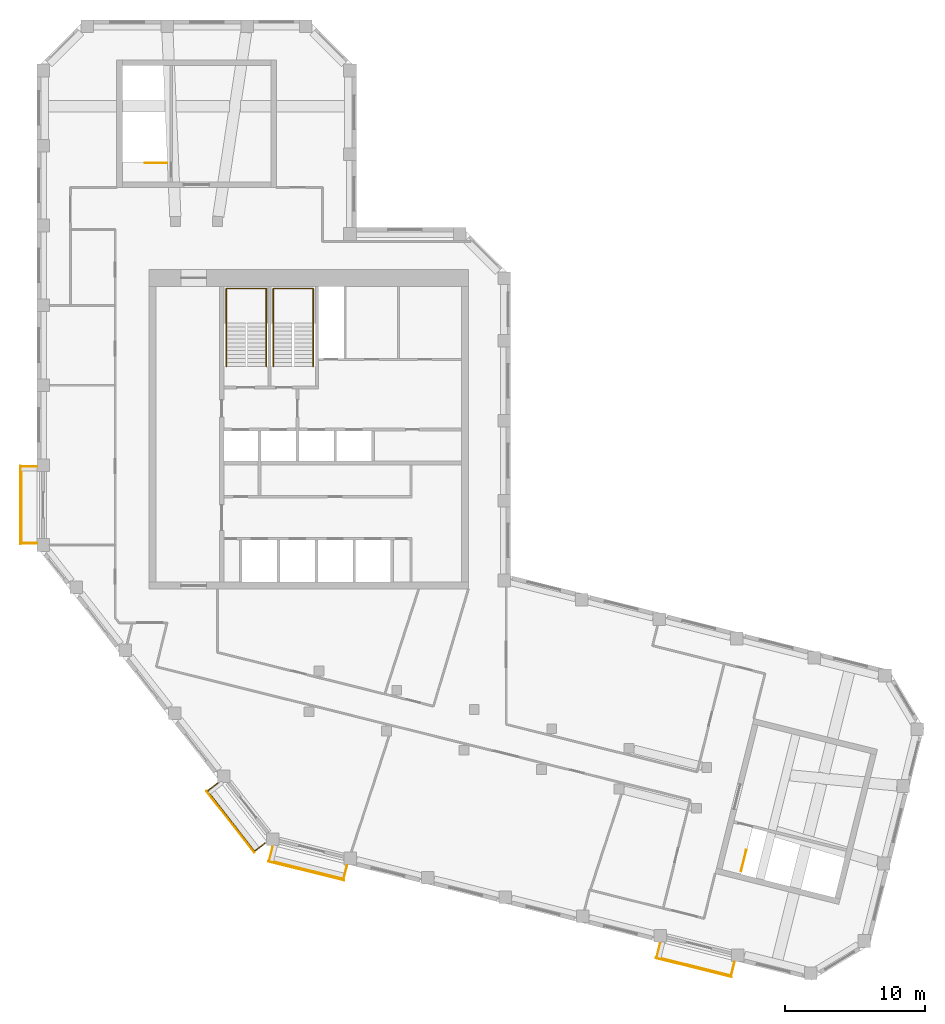
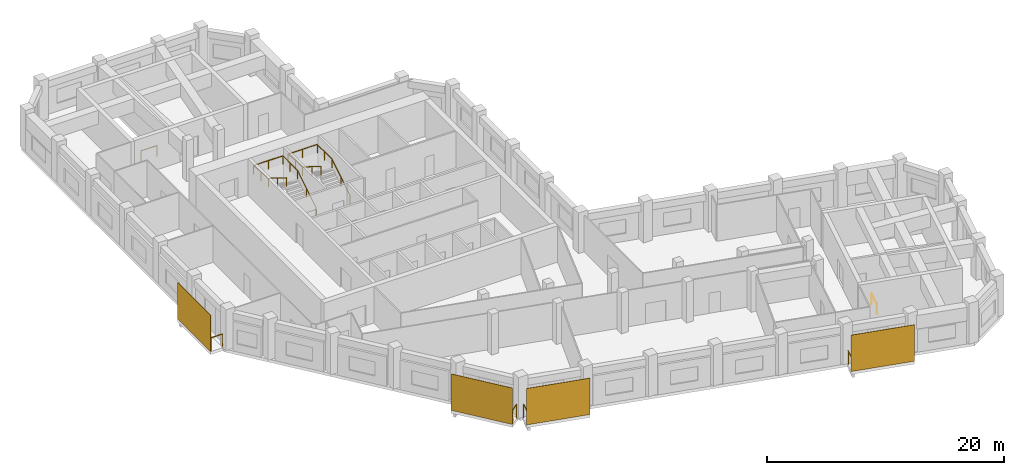
# One storey, part 8 of 8: 8 railings, 4 shading devices.
"""IFC4 building model written with IfcOpenShell, lengths in metres."""

from ifc_helpers import new_model, si_unit, direction, frame, origin, origin_2d, place, context, subcontext, project, spatial, rectangle, circle, extrude, material, layer, layer_set, type_object, element, save


model = new_model("IFC4")

# Units and contexts
model_context = context("Model", 3, precision=1e-05, world=origin(), true_north=direction((0.0, 1.0)))
body_context = subcontext(model_context, "Body", "Model", "MODEL_VIEW")
ifc_project = project(units=[si_unit("LENGTHUNIT", "METRE"), si_unit("AREAUNIT", "SQUARE_METRE"), si_unit("VOLUMEUNIT", "CUBIC_METRE"), si_unit("PLANEANGLEUNIT", "RADIAN"), si_unit("MASSUNIT", "GRAM", prefix="KILO")], contexts=[model_context])

# Site, building, storey
site_placement = place(None, origin())
site = spatial("IfcSite", under=ifc_project, at=site_placement, CompositionType="ELEMENT")
building_placement = place(site_placement, origin())
building = spatial("IfcBuilding", under=site, at=building_placement, Name="Meshkara Civic Tower", CompositionType="ELEMENT")
storey_placement = place(building_placement, frame((0.0, 0.0, 396.0)))
storey = spatial("IfcBuildingStorey", under=building, at=storey_placement, Name="L91", CompositionType="ELEMENT", Elevation=396.0)

# Railings
ifc_material_1 = material(Name="Steel S355", Category="steel")
railing_type_1 = type_object("IfcRailingType", Name="BALUSTRADE GUARD 1400", PredefinedType="BALUSTRADE", material=ifc_material_1)
railing_1_placement = place(storey_placement, frame((0.0, 22.8349609375, 0.0)))
element("IfcRailing", 1, at=railing_1_placement, inside=storey, type_object=railing_type_1, Name="Balcony guard", PredefinedType="BALUSTRADE", context=body_context, shape_type="SweptSolid", body=[
    extrude(circle(Radius=0.02392578125, at=origin_2d()), frame((0.0, 0.0, 1.3759765625), z_axis=(-1.0, 0.0, 0.0), x_axis=(0.0, -1.0, 0.0)), (0.0, 0.0, 1.0), 1.110107421875),
    extrude(circle(Radius=0.02392578125, at=origin_2d()), frame((-1.110107421875, 0.0, 1.3759765625), z_axis=(0.0, -1.0, 0.0), x_axis=(1.0, 0.0, 0.0)), (0.0, 0.0, 1.0), 5.4599609375),
    extrude(circle(Radius=0.02392578125, at=origin_2d()), frame((-1.110107421875, -5.4599609375, 1.3759765625), z_axis=(1.0, 0.0, 0.0), x_axis=(0.0, 1.0, 0.0)), (0.0, 0.0, 1.0), 1.110107421875),
    extrude(circle(Radius=0.02099609375, at=origin_2d()), origin(), (0.0, 0.0, 1.0), 1.351806640625),
    extrude(circle(Radius=0.02099609375, at=origin_2d()), frame((-1.110107421875, 0.0, 0.0)), (0.0, 0.0, 1.0), 1.351806640625),
    extrude(circle(Radius=0.02099609375, at=origin_2d()), frame((-1.110107421875, -1.092041015625, 0.0)), (0.0, 0.0, 1.0), 1.351806640625),
    extrude(circle(Radius=0.02099609375, at=origin_2d()), frame((-1.110107421875, -2.18408203125, 0.0)), (0.0, 0.0, 1.0), 1.351806640625),
    extrude(circle(Radius=0.02099609375, at=origin_2d()), frame((-1.110107421875, -3.27587890625, 0.0)), (0.0, 0.0, 1.0), 1.351806640625),
    extrude(circle(Radius=0.02099609375, at=origin_2d()), frame((-1.110107421875, -4.367919921875, 0.0)), (0.0, 0.0, 1.0), 1.351806640625),
    extrude(circle(Radius=0.02099609375, at=origin_2d()), frame((-1.110107421875, -5.4599609375, 0.0)), (0.0, 0.0, 1.0), 1.351806640625),
    extrude(circle(Radius=0.02099609375, at=origin_2d()), frame((0.0, -5.4599609375, 0.0)), (0.0, 0.0, 1.0), 1.351806640625),
])
railing_2_placement = place(storey_placement, frame((12.91796875, 0.27001953125, 0.0)))
element("IfcRailing", 2, at=railing_2_placement, inside=storey, type_object=railing_type_1, Name="Balcony guard", PredefinedType="BALUSTRADE", context=body_context, shape_type="SweptSolid", body=[
    extrude(circle(Radius=0.02392578125, at=origin_2d()), frame((0.0, 0.0, 1.3759765625), z_axis=(-0.788430880583, -0.615123358801, 0.0), x_axis=(0.615123358801, -0.788430880583, 0.0)), (0.0, 0.0, 1.0), 0.92822265625),
    extrude(circle(Radius=0.02392578125, at=origin_2d()), frame((-0.73193359375, -0.571044921875, 1.3759765625), z_axis=(0.615684818606, -0.787992515281, 0.0), x_axis=(0.787992515281, 0.615684818606, 0.0)), (0.0, 0.0, 1.0), 5.460693359375),
    extrude(circle(Radius=0.02392578125, at=origin_2d()), frame((2.630126953125, -4.8740234375, 1.3759765625), z_axis=(0.787920766417, 0.615776636329, 0.0), x_axis=(-0.615776636329, 0.787920766417, 0.0)), (0.0, 0.0, 1.0), 0.928955078125),
    extrude(circle(Radius=0.02099609375, at=origin_2d()), origin(), (0.0, 0.0, 1.0), 1.351806640625),
    extrude(circle(Radius=0.02099609375, at=origin_2d()), frame((-0.73193359375, -0.571044921875, 0.0)), (0.0, 0.0, 1.0), 1.351806640625),
    extrude(circle(Radius=0.02099609375, at=origin_2d()), frame((-0.0595703125, -1.431640625, 0.0)), (0.0, 0.0, 1.0), 1.351806640625),
    extrude(circle(Radius=0.02099609375, at=origin_2d()), frame((0.61279296875, -2.292236328125, 0.0)), (0.0, 0.0, 1.0), 1.351806640625),
    extrude(circle(Radius=0.02099609375, at=origin_2d()), frame((1.285400390625, -3.15283203125, 0.0)), (0.0, 0.0, 1.0), 1.351806640625),
    extrude(circle(Radius=0.02099609375, at=origin_2d()), frame((1.957763671875, -4.013427734375, 0.0)), (0.0, 0.0, 1.0), 1.351806640625),
    extrude(circle(Radius=0.02099609375, at=origin_2d()), frame((2.630126953125, -4.8740234375, 0.0)), (0.0, 0.0, 1.0), 1.351806640625),
    extrude(circle(Radius=0.02099609375, at=origin_2d()), frame((3.362060546875, -4.302001953125, 0.0)), (0.0, 0.0, 1.0), 1.351806640625),
])
railing_3_placement = place(storey_placement, frame((16.8359375, -4.2958984375, 0.0)))
element("IfcRailing", 3, at=railing_3_placement, inside=storey, type_object=railing_type_1, Name="Balcony guard", PredefinedType="BALUSTRADE", context=body_context, shape_type="SweptSolid", body=[
    extrude(circle(Radius=0.02392578125, at=origin_2d()), frame((0.0, 0.0, 1.3759765625), z_axis=(-0.24213955905, -0.97024143075, 0.0), x_axis=(0.97024143075, -0.24213955905, 0.0)), (0.0, 0.0, 1.0), 1.015380859375),
    extrude(circle(Radius=0.02392578125, at=origin_2d()), frame((-0.245849609375, -0.985107421875, 1.3759765625), z_axis=(0.970289613784, -0.241946410147, 0.0), x_axis=(0.241946410147, 0.970289613784, 0.0)), (0.0, 0.0, 1.0), 5.4599609375),
    extrude(circle(Radius=0.02392578125, at=origin_2d()), frame((5.052001953125, -2.30615234375, 1.3759765625), z_axis=(0.242365897307, 0.970184916303, 0.0), x_axis=(-0.970184916303, 0.242365897307, 0.0)), (0.0, 0.0, 1.0), 1.015380859375),
    extrude(circle(Radius=0.02099609375, at=origin_2d()), origin(), (0.0, 0.0, 1.0), 1.351806640625),
    extrude(circle(Radius=0.02099609375, at=origin_2d()), frame((-0.245849609375, -0.985107421875, 0.0)), (0.0, 0.0, 1.0), 1.351806640625),
    extrude(circle(Radius=0.02099609375, at=origin_2d()), frame((0.813720703125, -1.249267578125, 0.0)), (0.0, 0.0, 1.0), 1.351806640625),
    extrude(circle(Radius=0.02099609375, at=origin_2d()), frame((1.873291015625, -1.513427734375, 0.0)), (0.0, 0.0, 1.0), 1.351806640625),
    extrude(circle(Radius=0.02099609375, at=origin_2d()), frame((2.932861328125, -1.77783203125, 0.0)), (0.0, 0.0, 1.0), 1.351806640625),
    extrude(circle(Radius=0.02099609375, at=origin_2d()), frame((3.992431640625, -2.0419921875, 0.0)), (0.0, 0.0, 1.0), 1.351806640625),
    extrude(circle(Radius=0.02099609375, at=origin_2d()), frame((5.052001953125, -2.30615234375, 0.0)), (0.0, 0.0, 1.0), 1.351806640625),
    extrude(circle(Radius=0.02099609375, at=origin_2d()), frame((5.298095703125, -1.321044921875, 0.0)), (0.0, 0.0, 1.0), 1.351806640625),
])
railing_4_placement = place(storey_placement, frame((44.489013671875, -11.19091796875, 0.0)))
element("IfcRailing", 4, at=railing_4_placement, inside=storey, type_object=railing_type_1, Name="Balcony guard", PredefinedType="BALUSTRADE", context=body_context, shape_type="SweptSolid", body=[
    extrude(circle(Radius=0.02392578125, at=origin_2d()), frame((0.0, 0.0, 1.3759765625), z_axis=(-0.242592252133, -0.970128341615, 0.0), x_axis=(0.970128341615, -0.242592252133, 0.0)), (0.0, 0.0, 1.0), 1.014404296875),
    extrude(circle(Radius=0.02392578125, at=origin_2d()), frame((-0.24609375, -0.984130859375, 1.3759765625), z_axis=(0.970292231073, -0.24193591366, 0.0), x_axis=(0.24193591366, 0.970292231073, 0.0)), (0.0, 0.0, 1.0), 5.460205078125),
    extrude(circle(Radius=0.02392578125, at=origin_2d()), frame((5.052001953125, -2.30517578125, 1.3759765625), z_axis=(0.242592252133, 0.970128341615, 0.0), x_axis=(-0.970128341615, 0.242592252133, 0.0)), (0.0, 0.0, 1.0), 1.014404296875),
    extrude(circle(Radius=0.02099609375, at=origin_2d()), origin(), (0.0, 0.0, 1.0), 1.351806640625),
    extrude(circle(Radius=0.02099609375, at=origin_2d()), frame((-0.24609375, -0.984130859375, 0.0)), (0.0, 0.0, 1.0), 1.351806640625),
    extrude(circle(Radius=0.02099609375, at=origin_2d()), frame((0.8134765625, -1.248291015625, 0.0)), (0.0, 0.0, 1.0), 1.351806640625),
    extrude(circle(Radius=0.02099609375, at=origin_2d()), frame((1.873046875, -1.512451171875, 0.0)), (0.0, 0.0, 1.0), 1.351806640625),
    extrude(circle(Radius=0.02099609375, at=origin_2d()), frame((2.932861328125, -1.77685546875, 0.0)), (0.0, 0.0, 1.0), 1.351806640625),
    extrude(circle(Radius=0.02099609375, at=origin_2d()), frame((3.992431640625, -2.041015625, 0.0)), (0.0, 0.0, 1.0), 1.351806640625),
    extrude(circle(Radius=0.02099609375, at=origin_2d()), frame((5.052001953125, -2.30517578125, 0.0)), (0.0, 0.0, 1.0), 1.351806640625),
    extrude(circle(Radius=0.02099609375, at=origin_2d()), frame((5.298095703125, -1.321044921875, 0.0)), (0.0, 0.0, 1.0), 1.351806640625),
])

# Shading devices
ifc_material_2 = material(Name="Perforated bronze anodised aluminium sheet", Category="aluminium")
ifc_layer = layer(ifc_material_2, 0.0400390625)
ifc_layer_set = layer_set([ifc_layer], Name="PERFORATED BRONZE SCREEN")
shading_device_type = type_object("IfcShadingDeviceType", Name="PERFORATED BRONZE SCREEN", PredefinedType="USERDEFINED", material=ifc_layer_set)
for number, where, z_axis, x_axis, name in (
    (5, (-1.179931640625, 20.10498046875, 0.0), (0.0, 0.0, 1.0), (0.0, -1.0, 0.0), "Balcony screen"),
    (6, (13.81201171875, -2.4951171875, 0.0), (0.0, 0.0, 1.0), (0.615661475326, -0.788010753607, 0.0), "Balcony screen"),
    (7, (19.221923828125, -6.009033203125, 0.0), (0.0, 0.0, 1.0), (0.970295726276, -0.2419218956, 0.0), "Balcony screen"),
    (8, (46.875, -12.904052734375, 0.0), (0.0, 0.0, 1.0), (0.970295726276, -0.2419218956, 0.0), "Balcony screen"),
):
    element("IfcShadingDevice", number, at=place(storey_placement, frame(where, z_axis=z_axis, x_axis=x_axis)), inside=storey, type_object=shading_device_type, Name=name, ObjectType="SCREEN", PredefinedType="USERDEFINED", context=body_context, shape_type="SweptSolid", body=[
        extrude(rectangle(XDim=5.580078125, YDim=0.0400390625, at=origin_2d()), origin(), (0.0, 0.0, 1.0), 3.75),
    ])

# Railings
ifc_material_3 = material(Name="Steel guard", Category="steel")
railing_type_2 = type_object("IfcRailingType", Name="Stair guard 1100", PredefinedType="GUARDRAIL", material=ifc_material_3)
railing_5_placement = place(storey_placement, frame((9.27490234375, 44.52001953125, 0.0)))
element("IfcRailing", 9, at=railing_5_placement, inside=storey, type_object=railing_type_2, Name="L91 ESA6 top well guard 1", PredefinedType="GUARDRAIL", context=body_context, shape_type="SweptSolid", body=[
    extrude(circle(Radius=0.02392578125, at=origin_2d()), frame((0.0, 0.0, 1.076171875), z_axis=(-1.0, 0.0, 0.0), x_axis=(0.0, -1.0, 0.0)), (0.0, 0.0, 1.0), 1.5498046875),
    extrude(circle(Radius=0.02099609375, at=origin_2d()), origin(), (0.0, 0.0, 1.0), 1.052001953125),
    extrude(circle(Radius=0.02099609375, at=origin_2d()), frame((-1.5498046875, 0.0, 0.0)), (0.0, 0.0, 1.0), 1.052001953125),
])
railing_6_placement = place(storey_placement, frame((50.25830078125, -6.01171875, 0.0)))
element("IfcRailing", 10, at=railing_6_placement, inside=storey, type_object=railing_type_2, Name="L91 ESB6 top well guard 1", PredefinedType="GUARDRAIL", context=body_context, shape_type="SweptSolid", body=[
    extrude(circle(Radius=0.02392578125, at=origin_2d()), frame((0.0, 0.0, 1.076171875), z_axis=(0.241794280336, 0.970327535421, 0.0), x_axis=(-0.970327535421, 0.241794280336, 0.0)), (0.0, 0.0, 1.0), 1.5498046875),
    extrude(circle(Radius=0.02099609375, at=origin_2d()), origin(), (0.0, 0.0, 1.0), 1.052001953125),
    extrude(circle(Radius=0.02099609375, at=origin_2d()), frame((0.374755859375, 1.50390625, 0.0)), (0.0, 0.0, 1.0), 1.052001953125),
])
ifc_material_4 = material(Name="Steel handrail", Category="steel")
railing_type_3 = type_object("IfcRailingType", Name="Stair handrail 900", PredefinedType="HANDRAIL", material=ifc_material_4)
railing_7_placement = place(storey_placement, frame((16.375, 30.0, 0.175048828125)))
element("IfcRailing", 11, at=railing_7_placement, inside=storey, type_object=railing_type_3, Name="L91 ST1 stair handrail 1", PredefinedType="HANDRAIL", context=body_context, shape_type="SweptSolid", body=[
    extrude(circle(Radius=0.02392578125, at=origin_2d()), frame((0.0, 0.0, 0.8759765625), z_axis=(0.0, 0.847998304005, 0.529998940003), x_axis=(-1.0, 0.0, 0.0)), (0.0, 0.0, 1.0), 3.632080078125),
    extrude(circle(Radius=0.02392578125, at=origin_2d()), frame((0.0, 3.080078125, 2.80078125), z_axis=(0.0, 1.0, 0.0), x_axis=(-1.0, 0.0, 0.0)), (0.0, 0.0, 1.0), 2.469970703125),
    extrude(circle(Radius=0.02392578125, at=origin_2d()), frame((0.0, 5.550048828125, 2.80078125), z_axis=(-1.0, 0.0, 0.0), x_axis=(0.0, -1.0, 0.0)), (0.0, 0.0, 1.0), 2.85009765625),
    extrude(circle(Radius=0.02392578125, at=origin_2d()), frame((-2.85009765625, 5.550048828125, 2.80078125), z_axis=(0.0, -0.997505032726, 0.070595394231), x_axis=(1.0, 0.0, 0.0)), (0.0, 0.0, 1.0), 2.47607421875),
    extrude(circle(Radius=0.02392578125, at=origin_2d()), frame((-2.85009765625, 3.080078125, 2.9755859375), z_axis=(0.0, -0.847998304005, 0.529998940003), x_axis=(1.0, 0.0, 0.0)), (0.0, 0.0, 1.0), 3.632080078125),
    extrude(circle(Radius=0.02099609375, at=origin_2d()), origin(), (0.0, 0.0, 1.0), 0.851806640625),
    extrude(circle(Radius=0.02099609375, at=origin_2d()), frame((0.0, 1.5400390625, 0.96240234375)), (0.0, 0.0, 1.0), 0.851806640625),
    extrude(circle(Radius=0.02099609375, at=origin_2d()), frame((0.0, 3.080078125, 1.925048828125)), (0.0, 0.0, 1.0), 0.851806640625),
    extrude(circle(Radius=0.02099609375, at=origin_2d()), frame((0.0, 4.31494140625, 1.925048828125)), (0.0, 0.0, 1.0), 0.851806640625),
    extrude(circle(Radius=0.02099609375, at=origin_2d()), frame((0.0, 5.550048828125, 1.925048828125)), (0.0, 0.0, 1.0), 0.851806640625),
    extrude(circle(Radius=0.02099609375, at=origin_2d()), frame((-1.425048828125, 5.550048828125, 1.925048828125)), (0.0, 0.0, 1.0), 0.851806640625),
    extrude(circle(Radius=0.02099609375, at=origin_2d()), frame((-2.85009765625, 5.550048828125, 1.925048828125)), (0.0, 0.0, 1.0), 0.851806640625),
    extrude(circle(Radius=0.02099609375, at=origin_2d()), frame((-2.85009765625, 4.31494140625, 2.012451171875)), (0.0, 0.0, 1.0), 0.851806640625),
    extrude(circle(Radius=0.02099609375, at=origin_2d()), frame((-2.85009765625, 3.080078125, 2.099853515625)), (0.0, 0.0, 1.0), 0.851806640625),
    extrude(circle(Radius=0.02099609375, at=origin_2d()), frame((-2.85009765625, 1.5400390625, 3.0625)), (0.0, 0.0, 1.0), 0.851806640625),
    extrude(circle(Radius=0.02099609375, at=origin_2d()), frame((-2.85009765625, 0.0, 4.02490234375)), (0.0, 0.0, 1.0), 0.851806640625),
])
railing_8_placement = place(storey_placement, frame((19.72509765625, 30.0, 0.175048828125)))
element("IfcRailing", 12, at=railing_8_placement, inside=storey, type_object=railing_type_3, Name="L91 ST2 stair handrail 1", PredefinedType="HANDRAIL", context=body_context, shape_type="SweptSolid", body=[
    extrude(circle(Radius=0.02392578125, at=origin_2d()), frame((0.0, 0.0, 0.8759765625), z_axis=(0.0, 0.847998304005, 0.529998940003), x_axis=(-1.0, 0.0, 0.0)), (0.0, 0.0, 1.0), 3.632080078125),
    extrude(circle(Radius=0.02392578125, at=origin_2d()), frame((0.0, 3.080078125, 2.80078125), z_axis=(0.0, 1.0, 0.0), x_axis=(-1.0, 0.0, 0.0)), (0.0, 0.0, 1.0), 2.469970703125),
    extrude(circle(Radius=0.02392578125, at=origin_2d()), frame((0.0, 5.550048828125, 2.80078125), z_axis=(-1.0, 0.0, 0.0), x_axis=(0.0, -1.0, 0.0)), (0.0, 0.0, 1.0), 2.85009765625),
    extrude(circle(Radius=0.02392578125, at=origin_2d()), frame((-2.85009765625, 5.550048828125, 2.80078125), z_axis=(0.0, -0.997505032726, 0.070595394231), x_axis=(1.0, 0.0, 0.0)), (0.0, 0.0, 1.0), 2.47607421875),
    extrude(circle(Radius=0.02392578125, at=origin_2d()), frame((-2.85009765625, 3.080078125, 2.9755859375), z_axis=(0.0, -0.847998304005, 0.529998940003), x_axis=(1.0, 0.0, 0.0)), (0.0, 0.0, 1.0), 3.632080078125),
    extrude(circle(Radius=0.02099609375, at=origin_2d()), origin(), (0.0, 0.0, 1.0), 0.851806640625),
    extrude(circle(Radius=0.02099609375, at=origin_2d()), frame((0.0, 1.5400390625, 0.96240234375)), (0.0, 0.0, 1.0), 0.851806640625),
    extrude(circle(Radius=0.02099609375, at=origin_2d()), frame((0.0, 3.080078125, 1.925048828125)), (0.0, 0.0, 1.0), 0.851806640625),
    extrude(circle(Radius=0.02099609375, at=origin_2d()), frame((0.0, 4.31494140625, 1.925048828125)), (0.0, 0.0, 1.0), 0.851806640625),
    extrude(circle(Radius=0.02099609375, at=origin_2d()), frame((0.0, 5.550048828125, 1.925048828125)), (0.0, 0.0, 1.0), 0.851806640625),
    extrude(circle(Radius=0.02099609375, at=origin_2d()), frame((-1.425048828125, 5.550048828125, 1.925048828125)), (0.0, 0.0, 1.0), 0.851806640625),
    extrude(circle(Radius=0.02099609375, at=origin_2d()), frame((-2.85009765625, 5.550048828125, 1.925048828125)), (0.0, 0.0, 1.0), 0.851806640625),
    extrude(circle(Radius=0.02099609375, at=origin_2d()), frame((-2.85009765625, 4.31494140625, 2.012451171875)), (0.0, 0.0, 1.0), 0.851806640625),
    extrude(circle(Radius=0.02099609375, at=origin_2d()), frame((-2.85009765625, 3.080078125, 2.099853515625)), (0.0, 0.0, 1.0), 0.851806640625),
    extrude(circle(Radius=0.02099609375, at=origin_2d()), frame((-2.85009765625, 1.5400390625, 3.0625)), (0.0, 0.0, 1.0), 0.851806640625),
    extrude(circle(Radius=0.02099609375, at=origin_2d()), frame((-2.85009765625, 0.0, 4.02490234375)), (0.0, 0.0, 1.0), 0.851806640625),
])

save(model, "model.ifc")
